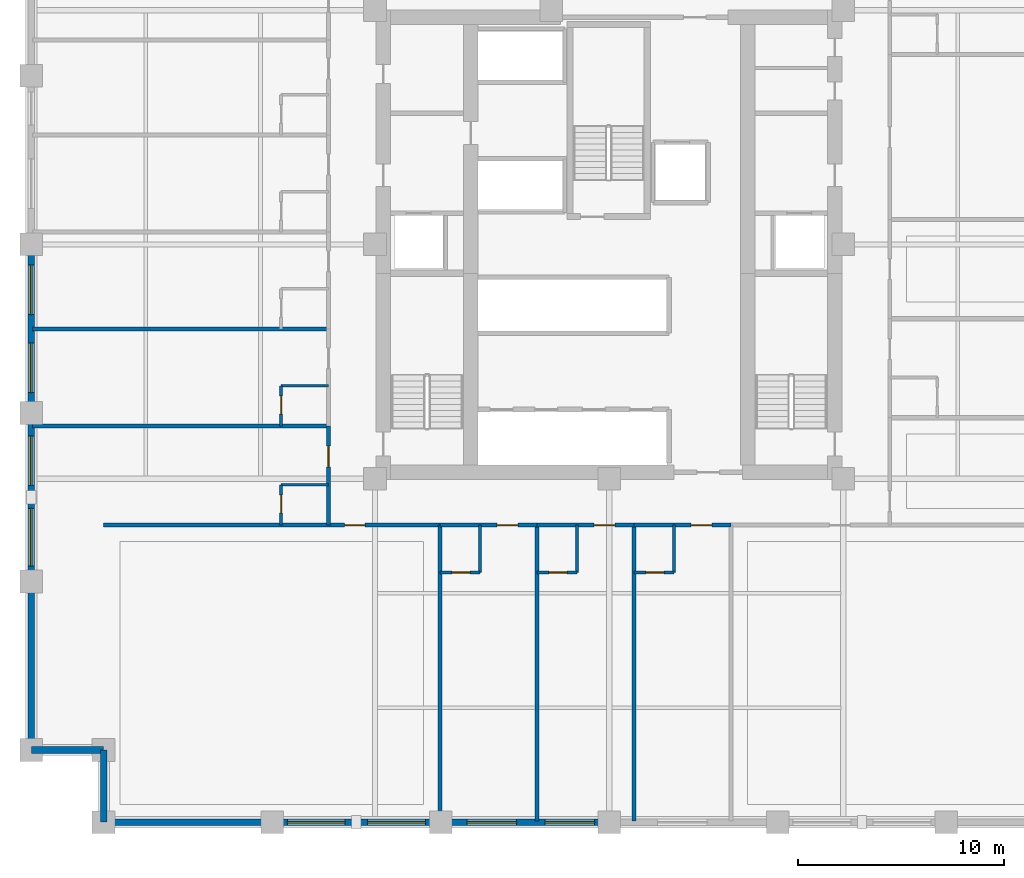
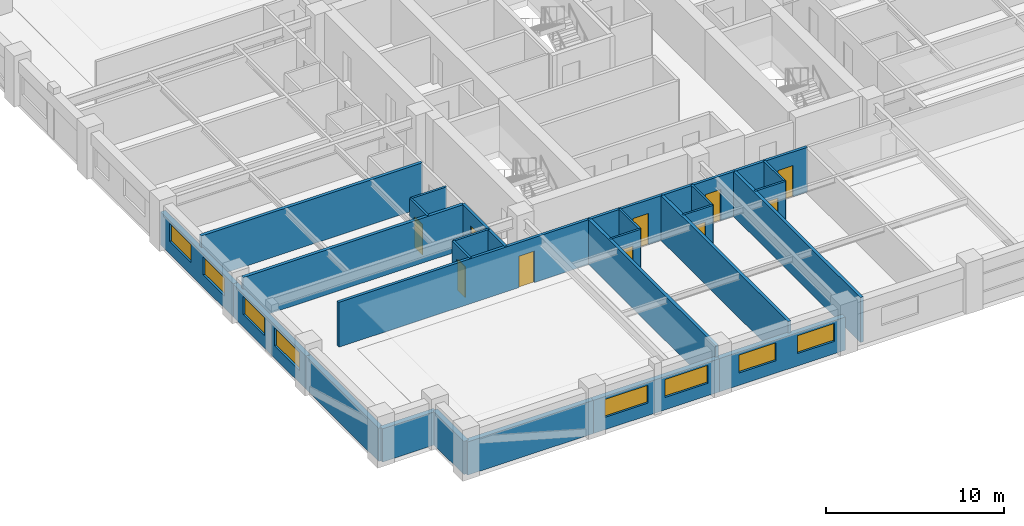
# One storey, part 2 of 12: 28 walls, 10 doors, 8 windows, 18 openings.
"""IFC4 building model written with IfcOpenShell, lengths in metres."""

from ifc_helpers import new_model, si_unit, direction, frame, frame_2d, origin, place, context, subcontext, project, spatial, rectangle, extrude, material, layer, layer_set, type_object, element, fill, save


model = new_model("IFC4")

# Units and contexts
model_context = context("Model", 3, precision=1e-05, world=origin(), true_north=direction((0.0, 1.0)))
body_context = subcontext(model_context, "Body", "Model", "MODEL_VIEW")
ifc_project = project(units=[si_unit("LENGTHUNIT", "METRE"), si_unit("AREAUNIT", "SQUARE_METRE"), si_unit("VOLUMEUNIT", "CUBIC_METRE"), si_unit("PLANEANGLEUNIT", "RADIAN"), si_unit("MASSUNIT", "GRAM", prefix="KILO")], contexts=[model_context])

# Site, building, storey
site_placement = place(None, origin())
site = spatial("IfcSite", under=ifc_project, at=site_placement, CompositionType="ELEMENT")
building_placement = place(site_placement, origin())
building = spatial("IfcBuilding", under=site, at=building_placement, Name="Nhamokura Convention Tower", CompositionType="ELEMENT")
storey_placement = place(building_placement, frame((0.0, 0.0, 38.85009765625)))
storey = spatial("IfcBuildingStorey", under=building, at=storey_placement, Name="L07", CompositionType="ELEMENT", Elevation=38.85009765625)

# Wall
ifc_material_1 = material(Name="Moisture-resistant tile-backer partition", Category="masonry")
ifc_layer_1 = layer(ifc_material_1, 0.139892578125)
ifc_layer_set_1 = layer_set([ifc_layer_1], Name="BathroomWetWall_140")
wall_type_1 = type_object("IfcWallType", Name="BathroomWetWall_140", PredefinedType="STANDARD", material=ifc_layer_set_1)
wall_1_placement = place(storey_placement, frame((25.75, 16.10009765625, 0.0), z_axis=(0.0, 0.0, 1.0), x_axis=(0.0, 1.0, 0.0)))
element("IfcWall", 1, at=wall_1_placement, inside=storey, type_object=wall_type_1, Name="L07 Wall INT-L07-BW-S01E", PredefinedType="STANDARD", context=body_context, shape_type="SweptSolid", body=[
    extrude(rectangle(XDim=2.2998046875, YDim=0.139892578125, at=frame_2d((1.14990234375, 0.0))), origin(), (0.0, 0.0, 1.0), 3.079833984375),
])

# Wall, opening, door
wall_2_placement = place(storey_placement, frame((23.800048828125, 16.10009765625, 0.0), z_axis=(0.0, 0.0, 1.0), x_axis=(1.0, 0.0, 0.0)))
wall_2 = element("IfcWall", 2, at=wall_2_placement, inside=storey, type_object=wall_type_1, Name="L07 Wall INT-L07-BW-S01S", PredefinedType="STANDARD", context=body_context, shape_type="SweptSolid", body=[
    extrude(rectangle(XDim=1.949951171875, YDim=0.139892578125, at=frame_2d((0.97509765625, 0.0))), origin(), (0.0, 0.0, 1.0), 3.079833984375),
])
opening_1_placement = place(wall_2_placement, frame((0.580078125, 0.0, 0.0)))
opening_1 = element("IfcOpeningElement", 3, at=opening_1_placement, cuts=wall_2, Name="Opening D-11", PredefinedType="OPENING", context=body_context, shape_type="SweptSolid", body=[
    extrude(rectangle(XDim=0.8798828125, YDim=2.10009765625, at=frame_2d((0.43994140625, 1.050048828125))), frame((0.0, 0.079833984375, 0.0), z_axis=(0.0, -1.0, 0.0), x_axis=(1.0, 0.0, 0.0)), (0.0, 0.0, 1.0), 0.159912109375),
])
ifc_material_2 = material(Name="Solid oak hardwood", Category="wood")
door_type_1 = type_object("IfcDoorType", Name="BathroomDoor_880", OperationType="NOTDEFINED", PredefinedType="DOOR", material=ifc_material_2)
door_1_placement = place(opening_1_placement, origin())
door_1 = element("IfcDoor", 4, at=door_1_placement, inside=storey, type_object=door_type_1, Name="L07 Guest Room En-suite Door", OperationType="SINGLE_SWING_LEFT", OverallHeight=2.10009765625, OverallWidth=0.8798828125, PredefinedType="DOOR", context=body_context, shape_type="SweptSolid", body=[
    extrude(rectangle(XDim=0.8798828125, YDim=2.10009765625, at=frame_2d((0.43994140625, 1.050048828125))), frame((0.0, 0.02490234375, 0.0), z_axis=(0.0, -1.0, 0.0), x_axis=(1.0, 0.0, 0.0)), (0.0, 0.0, 1.0), 0.050048828125),
])
fill(opening_1, door_1)

# Wall
wall_3_placement = place(storey_placement, frame((30.449951171875, 16.10009765625, 0.0), z_axis=(0.0, 0.0, 1.0), x_axis=(0.0, 1.0, 0.0)))
element("IfcWall", 5, at=wall_3_placement, inside=storey, type_object=wall_type_1, Name="L07 Wall INT-L07-BW-S02E", PredefinedType="STANDARD", context=body_context, shape_type="SweptSolid", body=[
    extrude(rectangle(XDim=2.2998046875, YDim=0.139892578125, at=frame_2d((1.14990234375, 0.0))), origin(), (0.0, 0.0, 1.0), 3.079833984375),
])

# Wall, opening, door
wall_4_placement = place(storey_placement, frame((28.5, 16.10009765625, 0.0), z_axis=(0.0, 0.0, 1.0), x_axis=(1.0, 0.0, 0.0)))
wall_4 = element("IfcWall", 6, at=wall_4_placement, inside=storey, type_object=wall_type_1, Name="L07 Wall INT-L07-BW-S02S", PredefinedType="STANDARD", context=body_context, shape_type="SweptSolid", body=[
    extrude(rectangle(XDim=1.949951171875, YDim=0.139892578125, at=frame_2d((0.97509765625, 0.0))), origin(), (0.0, 0.0, 1.0), 3.079833984375),
])
opening_2_placement = place(wall_4_placement, frame((0.580078125, 0.0, 0.0)))
opening_2 = element("IfcOpeningElement", 7, at=opening_2_placement, cuts=wall_4, Name="Opening D-11", PredefinedType="OPENING", context=body_context, shape_type="SweptSolid", body=[
    extrude(rectangle(XDim=0.8798828125, YDim=2.10009765625, at=frame_2d((0.43994140625, 1.050048828125))), frame((0.0, 0.079833984375, 0.0), z_axis=(0.0, -1.0, 0.0), x_axis=(1.0, 0.0, 0.0)), (0.0, 0.0, 1.0), 0.159912109375),
])
door_2_placement = place(opening_2_placement, origin())
door_2 = element("IfcDoor", 8, at=door_2_placement, inside=storey, type_object=door_type_1, Name="L07 Corner Suite En-suite Door", OperationType="SINGLE_SWING_LEFT", OverallHeight=2.10009765625, OverallWidth=0.8798828125, PredefinedType="DOOR", context=body_context, shape_type="SweptSolid", body=[
    extrude(rectangle(XDim=0.8798828125, YDim=2.10009765625, at=frame_2d((0.43994140625, 1.050048828125))), frame((0.0, 0.02490234375, 0.0), z_axis=(0.0, -1.0, 0.0), x_axis=(1.0, 0.0, 0.0)), (0.0, 0.0, 1.0), 0.050048828125),
])
fill(opening_2, door_2)

# Wall
wall_5_placement = place(storey_placement, frame((35.14990234375, 16.10009765625, 0.0), z_axis=(0.0, 0.0, 1.0), x_axis=(0.0, 1.0, 0.0)))
element("IfcWall", 9, at=wall_5_placement, inside=storey, type_object=wall_type_1, Name="L07 Wall INT-L07-BW-S03E", PredefinedType="STANDARD", context=body_context, shape_type="SweptSolid", body=[
    extrude(rectangle(XDim=2.2998046875, YDim=0.139892578125, at=frame_2d((1.14990234375, 0.0))), origin(), (0.0, 0.0, 1.0), 3.079833984375),
])

# Wall, opening, door
wall_6_placement = place(storey_placement, frame((33.199951171875, 16.10009765625, 0.0), z_axis=(0.0, 0.0, 1.0), x_axis=(1.0, 0.0, 0.0)))
wall_6 = element("IfcWall", 10, at=wall_6_placement, inside=storey, type_object=wall_type_1, Name="L07 Wall INT-L07-BW-S03S", PredefinedType="STANDARD", context=body_context, shape_type="SweptSolid", body=[
    extrude(rectangle(XDim=1.949951171875, YDim=0.139892578125, at=frame_2d((0.97509765625, 0.0))), origin(), (0.0, 0.0, 1.0), 3.079833984375),
])
opening_3_placement = place(wall_6_placement, frame((0.580078125, 0.0, 0.0)))
opening_3 = element("IfcOpeningElement", 11, at=opening_3_placement, cuts=wall_6, Name="Opening D-11", PredefinedType="OPENING", context=body_context, shape_type="SweptSolid", body=[
    extrude(rectangle(XDim=0.8798828125, YDim=2.10009765625, at=frame_2d((0.43994140625, 1.050048828125))), frame((0.0, 0.079833984375, 0.0), z_axis=(0.0, -1.0, 0.0), x_axis=(1.0, 0.0, 0.0)), (0.0, 0.0, 1.0), 0.159912109375),
])
door_3_placement = place(opening_3_placement, origin())
door_3 = element("IfcDoor", 12, at=door_3_placement, inside=storey, type_object=door_type_1, Name="L07 Guest Room En-suite Door", OperationType="SINGLE_SWING_LEFT", OverallHeight=2.10009765625, OverallWidth=0.8798828125, PredefinedType="DOOR", context=body_context, shape_type="SweptSolid", body=[
    extrude(rectangle(XDim=0.8798828125, YDim=2.10009765625, at=frame_2d((0.43994140625, 1.050048828125))), frame((0.0, 0.02490234375, 0.0), z_axis=(0.0, -1.0, 0.0), x_axis=(1.0, 0.0, 0.0)), (0.0, 0.0, 1.0), 0.050048828125),
])
fill(opening_3, door_3)

# Wall
wall_7_placement = place(storey_placement, frame((16.10009765625, 20.35009765625, 0.0), z_axis=(0.0, 0.0, 1.0), x_axis=(1.0, 0.0, 0.0)))
element("IfcWall", 13, at=wall_7_placement, inside=storey, type_object=wall_type_1, Name="L07 Wall INT-L07-BW-W00N", PredefinedType="STANDARD", context=body_context, shape_type="SweptSolid", body=[
    extrude(rectangle(XDim=2.2998046875, YDim=0.139892578125, at=frame_2d((1.14990234375, 0.0))), origin(), (0.0, 0.0, 1.0), 3.079833984375),
])

# Wall, opening, door
wall_8_placement = place(storey_placement, frame((16.10009765625, 18.39990234375, 0.0), z_axis=(0.0, 0.0, 1.0), x_axis=(0.0, 1.0, 0.0)))
wall_8 = element("IfcWall", 14, at=wall_8_placement, inside=storey, type_object=wall_type_1, Name="L07 Wall INT-L07-BW-W00W", PredefinedType="STANDARD", context=body_context, shape_type="SweptSolid", body=[
    extrude(rectangle(XDim=1.9501953125, YDim=0.139892578125, at=frame_2d((0.97509765625, 0.0))), origin(), (0.0, 0.0, 1.0), 3.079833984375),
])
opening_4_placement = place(wall_8_placement, frame((0.580078125, 0.0, 0.0)))
opening_4 = element("IfcOpeningElement", 15, at=opening_4_placement, cuts=wall_8, Name="Opening D-11", PredefinedType="OPENING", context=body_context, shape_type="SweptSolid", body=[
    extrude(rectangle(XDim=0.8798828125, YDim=2.10009765625, at=frame_2d((0.43994140625, 1.050048828125))), frame((0.0, 0.079833984375, 0.0), z_axis=(0.0, -1.0, 0.0), x_axis=(1.0, 0.0, 0.0)), (0.0, 0.0, 1.0), 0.159912109375),
])
door_4_placement = place(opening_4_placement, origin())
door_4 = element("IfcDoor", 16, at=door_4_placement, inside=storey, type_object=door_type_1, Name="L07 Guest Room En-suite Door", OperationType="SINGLE_SWING_RIGHT", OverallHeight=2.10009765625, OverallWidth=0.8798828125, PredefinedType="DOOR", context=body_context, shape_type="SweptSolid", body=[
    extrude(rectangle(XDim=0.8798828125, YDim=2.10009765625, at=frame_2d((0.43994140625, 1.050048828125))), frame((0.0, 0.02490234375, 0.0), z_axis=(0.0, -1.0, 0.0), x_axis=(1.0, 0.0, 0.0)), (0.0, 0.0, 1.0), 0.050048828125),
])
fill(opening_4, door_4)

# Wall
wall_9_placement = place(storey_placement, frame((16.10009765625, 25.14990234375, 0.0), z_axis=(0.0, 0.0, 1.0), x_axis=(1.0, 0.0, 0.0)))
element("IfcWall", 17, at=wall_9_placement, inside=storey, type_object=wall_type_1, Name="L07 Wall INT-L07-BW-W01N", PredefinedType="STANDARD", context=body_context, shape_type="SweptSolid", body=[
    extrude(rectangle(XDim=2.2998046875, YDim=0.139892578125, at=frame_2d((1.14990234375, 0.0))), origin(), (0.0, 0.0, 1.0), 3.079833984375),
])

# Wall, opening, door
wall_10_placement = place(storey_placement, frame((16.10009765625, 23.199951171875, 0.0), z_axis=(0.0, 0.0, 1.0), x_axis=(0.0, 1.0, 0.0)))
wall_10 = element("IfcWall", 18, at=wall_10_placement, inside=storey, type_object=wall_type_1, Name="L07 Wall INT-L07-BW-W01W", PredefinedType="STANDARD", context=body_context, shape_type="SweptSolid", body=[
    extrude(rectangle(XDim=1.949951171875, YDim=0.139892578125, at=frame_2d((0.97509765625, 0.0))), origin(), (0.0, 0.0, 1.0), 3.079833984375),
])
opening_5_placement = place(wall_10_placement, frame((0.580078125, 0.0, 0.0)))
opening_5 = element("IfcOpeningElement", 19, at=opening_5_placement, cuts=wall_10, Name="Opening D-11", PredefinedType="OPENING", context=body_context, shape_type="SweptSolid", body=[
    extrude(rectangle(XDim=0.8798828125, YDim=2.10009765625, at=frame_2d((0.43994140625, 1.050048828125))), frame((0.0, 0.079833984375, 0.0), z_axis=(0.0, -1.0, 0.0), x_axis=(1.0, 0.0, 0.0)), (0.0, 0.0, 1.0), 0.159912109375),
])
door_5_placement = place(opening_5_placement, origin())
door_5 = element("IfcDoor", 20, at=door_5_placement, inside=storey, type_object=door_type_1, Name="L07 Club Room En-suite Door", OperationType="SINGLE_SWING_RIGHT", OverallHeight=2.10009765625, OverallWidth=0.8798828125, PredefinedType="DOOR", context=body_context, shape_type="SweptSolid", body=[
    extrude(rectangle(XDim=0.8798828125, YDim=2.10009765625, at=frame_2d((0.43994140625, 1.050048828125))), frame((0.0, 0.02490234375, 0.0), z_axis=(0.0, -1.0, 0.0), x_axis=(1.0, 0.0, 0.0)), (0.0, 0.0, 1.0), 0.050048828125),
])
fill(opening_5, door_5)

# Wall
ifc_material_3 = material(Name="Bronze-pigmented precast concrete C45/55", Category="concrete")
ifc_layer_2 = layer(ifc_material_3, 0.320068359375)
ifc_layer_set_2 = layer_set([ifc_layer_2], Name="BronzePrecastSpandrel_320")
wall_type_2 = type_object("IfcWallType", Name="BronzePrecastSpandrel_320", PredefinedType="USERDEFINED", material=ifc_layer_set_2)
wall_11_placement = place(storey_placement, frame((15.666748046875, 4.0, 0.0), z_axis=(0.0, 0.0, 1.0), x_axis=(-1.0, 0.0, 0.0)))
element("IfcWall", 21, at=wall_11_placement, inside=storey, type_object=wall_type_2, Name="L07 Braced-Bay Precast Wall SOUTH 0", ObjectType="SPANDREL_WALL", PredefinedType="USERDEFINED", context=body_context, shape_type="SweptSolid", body=[
    extrude(rectangle(XDim=8.166748046875, YDim=0.320068359375, at=frame_2d((4.08349609375, 0.0))), origin(), (0.0, 0.0, 1.0), 2.27978515625),
])

# Wall, openings, windows
wall_12_placement = place(storey_placement, frame((23.833251953125, 4.0, 0.0), z_axis=(0.0, 0.0, 1.0), x_axis=(-1.0, 0.0, 0.0)))
wall_12 = element("IfcWall", 22, at=wall_12_placement, inside=storey, type_object=wall_type_2, Name="L07 Masonry-Frame Wall SOUTH 1", ObjectType="SPANDREL_WALL", PredefinedType="USERDEFINED", context=body_context, shape_type="SweptSolid", body=[
    extrude(rectangle(XDim=8.16650390625, YDim=0.320068359375, at=frame_2d((4.083251953125, 0.0))), origin(), (0.0, 0.0, 1.0), 2.27978515625),
])
opening_6_placement = place(wall_12_placement, frame((0.74169921875, 0.0, 0.85009765625)))
opening_6 = element("IfcOpeningElement", 23, at=opening_6_placement, cuts=wall_12, Name="Opening W-04", PredefinedType="OPENING", context=body_context, shape_type="SweptSolid", body=[
    extrude(rectangle(XDim=2.800048828125, YDim=1.22998046875, at=frame_2d((1.39990234375, 0.614990234375))), frame((0.0, 0.169921875, 0.0), z_axis=(0.0, -1.0, 0.0), x_axis=(1.0, 0.0, 0.0)), (0.0, 0.0, 1.0), 0.340087890625),
])
opening_7_placement = place(wall_12_placement, frame((4.625, 0.0, 0.85009765625)))
opening_7 = element("IfcOpeningElement", 24, at=opening_7_placement, cuts=wall_12, Name="Opening W-04", PredefinedType="OPENING", context=body_context, shape_type="SweptSolid", body=[
    extrude(rectangle(XDim=2.800048828125, YDim=1.22998046875, at=frame_2d((1.39990234375, 0.614990234375))), frame((0.0, 0.169921875, 0.0), z_axis=(0.0, -1.0, 0.0), x_axis=(1.0, 0.0, 0.0)), (0.0, 0.0, 1.0), 0.340087890625),
])
ifc_material_4 = material(Name="Solar-control bronze low-E double glass", Category="glass")
window_type_1 = type_object("IfcWindowType", Name="HotelSuiteWindow_2800", PartitioningType="DOUBLE_PANEL_VERTICAL", PredefinedType="WINDOW", material=ifc_material_4)
window_1_placement = place(opening_6_placement, origin())
window_1 = element("IfcWindow", 25, at=window_1_placement, inside=storey, type_object=window_type_1, Name="L07 Facade Window SOUTH 1-1", OverallHeight=1.22998046875, OverallWidth=2.800048828125, PartitioningType="SINGLE_PANEL", PredefinedType="WINDOW", context=body_context, shape_type="SweptSolid", body=[
    extrude(rectangle(XDim=2.800048828125, YDim=1.22998046875, at=frame_2d((1.39990234375, 0.614990234375))), frame((0.0, 0.030029296875, 0.0), z_axis=(0.0, -1.0, 0.0), x_axis=(1.0, 0.0, 0.0)), (0.0, 0.0, 1.0), 0.06005859375),
])
fill(opening_6, window_1)
window_2_placement = place(opening_7_placement, origin())
window_2 = element("IfcWindow", 26, at=window_2_placement, inside=storey, type_object=window_type_1, Name="L07 Facade Window SOUTH 1-2", OverallHeight=1.22998046875, OverallWidth=2.800048828125, PartitioningType="SINGLE_PANEL", PredefinedType="WINDOW", context=body_context, shape_type="SweptSolid", body=[
    extrude(rectangle(XDim=2.800048828125, YDim=1.22998046875, at=frame_2d((1.39990234375, 0.614990234375))), frame((0.0, 0.030029296875, 0.0), z_axis=(0.0, -1.0, 0.0), x_axis=(1.0, 0.0, 0.0)), (0.0, 0.0, 1.0), 0.06005859375),
])
fill(opening_7, window_2)

wall_13_placement = place(storey_placement, frame((32.0, 4.0, 0.0), z_axis=(0.0, 0.0, 1.0), x_axis=(-1.0, 0.0, 0.0)))
wall_13 = element("IfcWall", 27, at=wall_13_placement, inside=storey, type_object=wall_type_2, Name="L07 Masonry-Frame Wall SOUTH 2", ObjectType="SPANDREL_WALL", PredefinedType="USERDEFINED", context=body_context, shape_type="SweptSolid", body=[
    extrude(rectangle(XDim=8.166748046875, YDim=0.320068359375, at=frame_2d((4.08349609375, 0.0))), origin(), (0.0, 0.0, 1.0), 2.27978515625),
])
opening_8_placement = place(wall_13_placement, frame((0.699951171875, 0.0, 0.85009765625)))
opening_8 = element("IfcOpeningElement", 28, at=opening_8_placement, cuts=wall_13, Name="Opening W-03", PredefinedType="OPENING", context=body_context, shape_type="SweptSolid", body=[
    extrude(rectangle(XDim=2.39990234375, YDim=1.22998046875, at=frame_2d((1.199951171875, 0.614990234375))), frame((0.0, 0.169921875, 0.0), z_axis=(0.0, -1.0, 0.0), x_axis=(1.0, 0.0, 0.0)), (0.0, 0.0, 1.0), 0.340087890625),
])
opening_9_placement = place(wall_13_placement, frame((4.4833984375, 0.0, 0.85009765625)))
opening_9 = element("IfcOpeningElement", 29, at=opening_9_placement, cuts=wall_13, Name="Opening W-03", PredefinedType="OPENING", context=body_context, shape_type="SweptSolid", body=[
    extrude(rectangle(XDim=2.39990234375, YDim=1.22998046875, at=frame_2d((1.199951171875, 0.614990234375))), frame((0.0, 0.169921875, 0.0), z_axis=(0.0, -1.0, 0.0), x_axis=(1.0, 0.0, 0.0)), (0.0, 0.0, 1.0), 0.340087890625),
])
ifc_material_5 = material(Name="Solar-control bronze low-E double glass", Category="glass")
window_type_2 = type_object("IfcWindowType", Name="HotelBayWindow_2400", PartitioningType="DOUBLE_PANEL_VERTICAL", PredefinedType="WINDOW", material=ifc_material_5)
window_3_placement = place(opening_8_placement, origin())
window_3 = element("IfcWindow", 30, at=window_3_placement, inside=storey, type_object=window_type_2, Name="L07 Facade Window SOUTH 2-1", OverallHeight=1.22998046875, OverallWidth=2.39990234375, PartitioningType="SINGLE_PANEL", PredefinedType="WINDOW", context=body_context, shape_type="SweptSolid", body=[
    extrude(rectangle(XDim=2.39990234375, YDim=1.22998046875, at=frame_2d((1.199951171875, 0.614990234375))), frame((0.0, 0.030029296875, 0.0), z_axis=(0.0, -1.0, 0.0), x_axis=(1.0, 0.0, 0.0)), (0.0, 0.0, 1.0), 0.06005859375),
])
fill(opening_8, window_3)
window_4_placement = place(opening_9_placement, origin())
window_4 = element("IfcWindow", 31, at=window_4_placement, inside=storey, type_object=window_type_2, Name="L07 Facade Window SOUTH 2-2", OverallHeight=1.22998046875, OverallWidth=2.39990234375, PartitioningType="SINGLE_PANEL", PredefinedType="WINDOW", context=body_context, shape_type="SweptSolid", body=[
    extrude(rectangle(XDim=2.39990234375, YDim=1.22998046875, at=frame_2d((1.199951171875, 0.614990234375))), frame((0.0, 0.030029296875, 0.0), z_axis=(0.0, -1.0, 0.0), x_axis=(1.0, 0.0, 0.0)), (0.0, 0.0, 1.0), 0.06005859375),
])
fill(opening_9, window_4)

# Wall
wall_14_placement = place(storey_placement, frame((4.0, 7.5, 0.0), z_axis=(0.0, 0.0, 1.0), x_axis=(0.0, 1.0, 0.0)))
element("IfcWall", 32, at=wall_14_placement, inside=storey, type_object=wall_type_2, Name="L07 Braced-Bay Precast Wall WEST 0", ObjectType="SPANDREL_WALL", PredefinedType="USERDEFINED", context=body_context, shape_type="SweptSolid", body=[
    extrude(rectangle(XDim=8.166748046875, YDim=0.320068359375, at=frame_2d((4.08349609375, 0.0))), origin(), (0.0, 0.0, 1.0), 2.27978515625),
])

# Wall, openings, windows
wall_15_placement = place(storey_placement, frame((4.0, 15.666748046875, 0.0), z_axis=(0.0, 0.0, 1.0), x_axis=(0.0, 1.0, 0.0)))
wall_15 = element("IfcWall", 33, at=wall_15_placement, inside=storey, type_object=wall_type_2, Name="L07 Masonry-Frame Wall WEST 1", ObjectType="SPANDREL_WALL", PredefinedType="USERDEFINED", context=body_context, shape_type="SweptSolid", body=[
    extrude(rectangle(XDim=8.16650390625, YDim=0.320068359375, at=frame_2d((4.083251953125, 0.0))), origin(), (0.0, 0.0, 1.0), 2.27978515625),
])
opening_10_placement = place(wall_15_placement, frame((0.74169921875, 0.0, 0.85009765625)))
opening_10 = element("IfcOpeningElement", 34, at=opening_10_placement, cuts=wall_15, Name="Opening W-04", PredefinedType="OPENING", context=body_context, shape_type="SweptSolid", body=[
    extrude(rectangle(XDim=2.800048828125, YDim=1.22998046875, at=frame_2d((1.39990234375, 0.614990234375))), frame((0.0, 0.169921875, 0.0), z_axis=(0.0, -1.0, 0.0), x_axis=(1.0, 0.0, 0.0)), (0.0, 0.0, 1.0), 0.340087890625),
])
opening_11_placement = place(wall_15_placement, frame((4.658203125, 0.0, 0.85009765625)))
opening_11 = element("IfcOpeningElement", 35, at=opening_11_placement, cuts=wall_15, Name="Opening W-03", PredefinedType="OPENING", context=body_context, shape_type="SweptSolid", body=[
    extrude(rectangle(XDim=2.39990234375, YDim=1.22998046875, at=frame_2d((1.199951171875, 0.614990234375))), frame((0.0, 0.169921875, 0.0), z_axis=(0.0, -1.0, 0.0), x_axis=(1.0, 0.0, 0.0)), (0.0, 0.0, 1.0), 0.340087890625),
])
window_5_placement = place(opening_11_placement, origin())
window_5 = element("IfcWindow", 36, at=window_5_placement, inside=storey, type_object=window_type_2, Name="L07 Facade Window WEST 1-2", OverallHeight=1.22998046875, OverallWidth=2.39990234375, PartitioningType="SINGLE_PANEL", PredefinedType="WINDOW", context=body_context, shape_type="SweptSolid", body=[
    extrude(rectangle(XDim=2.39990234375, YDim=1.22998046875, at=frame_2d((1.199951171875, 0.614990234375))), frame((0.0, 0.030029296875, 0.0), z_axis=(0.0, -1.0, 0.0), x_axis=(1.0, 0.0, 0.0)), (0.0, 0.0, 1.0), 0.06005859375),
])
fill(opening_11, window_5)
window_6_placement = place(opening_10_placement, origin())
window_6 = element("IfcWindow", 37, at=window_6_placement, inside=storey, type_object=window_type_1, Name="L07 Facade Window WEST 1-1", OverallHeight=1.22998046875, OverallWidth=2.800048828125, PartitioningType="SINGLE_PANEL", PredefinedType="WINDOW", context=body_context, shape_type="SweptSolid", body=[
    extrude(rectangle(XDim=2.800048828125, YDim=1.22998046875, at=frame_2d((1.39990234375, 0.614990234375))), frame((0.0, 0.030029296875, 0.0), z_axis=(0.0, -1.0, 0.0), x_axis=(1.0, 0.0, 0.0)), (0.0, 0.0, 1.0), 0.06005859375),
])
fill(opening_10, window_6)

wall_16_placement = place(storey_placement, frame((4.0, 23.833251953125, 0.0), z_axis=(0.0, 0.0, 1.0), x_axis=(0.0, 1.0, 0.0)))
wall_16 = element("IfcWall", 38, at=wall_16_placement, inside=storey, type_object=wall_type_2, Name="L07 Masonry-Frame Wall WEST 2", ObjectType="SPANDREL_WALL", PredefinedType="USERDEFINED", context=body_context, shape_type="SweptSolid", body=[
    extrude(rectangle(XDim=8.166748046875, YDim=0.320068359375, at=frame_2d((4.08349609375, 0.0))), origin(), (0.0, 0.0, 1.0), 2.27978515625),
])
opening_12_placement = place(wall_16_placement, frame((0.9833984375, 0.0, 0.85009765625)))
opening_12 = element("IfcOpeningElement", 39, at=opening_12_placement, cuts=wall_16, Name="Opening W-03", PredefinedType="OPENING", context=body_context, shape_type="SweptSolid", body=[
    extrude(rectangle(XDim=2.39990234375, YDim=1.22998046875, at=frame_2d((1.199951171875, 0.614990234375))), frame((0.0, 0.169921875, 0.0), z_axis=(0.0, -1.0, 0.0), x_axis=(1.0, 0.0, 0.0)), (0.0, 0.0, 1.0), 0.340087890625),
])
opening_13_placement = place(wall_16_placement, frame((4.7666015625, 0.0, 0.85009765625)))
opening_13 = element("IfcOpeningElement", 40, at=opening_13_placement, cuts=wall_16, Name="Opening W-03", PredefinedType="OPENING", context=body_context, shape_type="SweptSolid", body=[
    extrude(rectangle(XDim=2.39990234375, YDim=1.22998046875, at=frame_2d((1.199951171875, 0.614990234375))), frame((0.0, 0.169921875, 0.0), z_axis=(0.0, -1.0, 0.0), x_axis=(1.0, 0.0, 0.0)), (0.0, 0.0, 1.0), 0.340087890625),
])
window_7_placement = place(opening_12_placement, origin())
window_7 = element("IfcWindow", 41, at=window_7_placement, inside=storey, type_object=window_type_2, Name="L07 Facade Window WEST 2-1", OverallHeight=1.22998046875, OverallWidth=2.39990234375, PartitioningType="SINGLE_PANEL", PredefinedType="WINDOW", context=body_context, shape_type="SweptSolid", body=[
    extrude(rectangle(XDim=2.39990234375, YDim=1.22998046875, at=frame_2d((1.199951171875, 0.614990234375))), frame((0.0, 0.030029296875, 0.0), z_axis=(0.0, -1.0, 0.0), x_axis=(1.0, 0.0, 0.0)), (0.0, 0.0, 1.0), 0.06005859375),
])
fill(opening_12, window_7)
window_8_placement = place(opening_13_placement, origin())
window_8 = element("IfcWindow", 42, at=window_8_placement, inside=storey, type_object=window_type_2, Name="L07 Facade Window WEST 2-2", OverallHeight=1.22998046875, OverallWidth=2.39990234375, PartitioningType="SINGLE_PANEL", PredefinedType="WINDOW", context=body_context, shape_type="SweptSolid", body=[
    extrude(rectangle(XDim=2.39990234375, YDim=1.22998046875, at=frame_2d((1.199951171875, 0.614990234375))), frame((0.0, 0.030029296875, 0.0), z_axis=(0.0, -1.0, 0.0), x_axis=(1.0, 0.0, 0.0)), (0.0, 0.0, 1.0), 0.06005859375),
])
fill(opening_13, window_8)

# Walls
for number, where, z_axis, x_axis, name in (
    (43, (7.5, 4.0, 0.0), (0.0, 0.0, 1.0), (0.0, 1.0, 0.0), "L07 Notched Corner Wall SW1"),
    (44, (7.5, 7.5, 0.0), (0.0, 0.0, 1.0), (-1.0, 0.0, 0.0), "L07 Notched Corner Wall SW2"),
):
    element("IfcWall", number, at=place(storey_placement, frame(where, z_axis=z_axis, x_axis=x_axis)), inside=storey, type_object=wall_type_2, Name=name, ObjectType="SPANDREL_WALL", PredefinedType="USERDEFINED", context=body_context, shape_type="SweptSolid", body=[
        extrude(rectangle(XDim=3.5, YDim=0.320068359375, at=frame_2d((1.75, 0.0))), origin(), (0.0, 0.0, 1.0), 2.27978515625),
    ])

# Wall, opening, door
ifc_material_6 = material(Name="Fire-rated gypsum and masonry partition", Category="masonry")
ifc_layer_3 = layer(ifc_material_6, 0.179931640625)
ifc_layer_set_3 = layer_set([ifc_layer_3], Name="CorridorRatedWall_180")
wall_type_3 = type_object("IfcWallType", Name="CorridorRatedWall_180", PredefinedType="STANDARD", material=ifc_layer_set_3)
wall_17_placement = place(storey_placement, frame((7.5, 18.39990234375, 0.0), z_axis=(0.0, 0.0, 1.0), x_axis=(1.0, 0.0, 0.0)))
wall_17 = element("IfcWall", 45, at=wall_17_placement, inside=storey, type_object=wall_type_3, Name="L07 Wall INT-L07-CW-S00", PredefinedType="STANDARD", context=body_context, shape_type="SweptSolid", body=[
    extrude(rectangle(XDim=16.300048828125, YDim=0.179931640625, at=frame_2d((8.14990234375, 0.0))), origin(), (0.0, 0.0, 1.0), 3.079833984375),
])
opening_14_placement = place(wall_17_placement, frame((11.675048828125, 0.0, 0.0)))
opening_14 = element("IfcOpeningElement", 46, at=opening_14_placement, cuts=wall_17, Name="Opening D-07", PredefinedType="OPENING", context=body_context, shape_type="SweptSolid", body=[
    extrude(rectangle(XDim=1.0, YDim=2.14990234375, at=frame_2d((0.5, 1.074951171875))), frame((0.0, 0.099853515625, 0.0), z_axis=(0.0, -1.0, 0.0), x_axis=(1.0, 0.0, 0.0)), (0.0, 0.0, 1.0), 0.199951171875),
])
ifc_material_7 = material(Name="Solid oak hardwood", Category="wood")
door_type_2 = type_object("IfcDoorType", Name="HotelSuiteEntryDoor_1000", OperationType="NOTDEFINED", PredefinedType="DOOR", material=ifc_material_7)
door_6_placement = place(opening_14_placement, origin())
door_6 = element("IfcDoor", 47, at=door_6_placement, inside=storey, type_object=door_type_2, Name="L07 Conference Salon S01 Door", OperationType="SINGLE_SWING_LEFT", OverallHeight=2.14990234375, OverallWidth=1.0, PredefinedType="DOOR", context=body_context, shape_type="SweptSolid", body=[
    extrude(rectangle(XDim=1.0, YDim=2.14990234375, at=frame_2d((0.5, 1.074951171875))), frame((0.0, 0.02490234375, 0.0), z_axis=(0.0, -1.0, 0.0), x_axis=(1.0, 0.0, 0.0)), (0.0, 0.0, 1.0), 0.050048828125),
])
fill(opening_14, door_6)

wall_18_placement = place(storey_placement, frame((23.800048828125, 18.39990234375, 0.0), z_axis=(0.0, 0.0, 1.0), x_axis=(1.0, 0.0, 0.0)))
wall_18 = element("IfcWall", 48, at=wall_18_placement, inside=storey, type_object=wall_type_3, Name="L07 Wall INT-L07-CW-S01", PredefinedType="STANDARD", context=body_context, shape_type="SweptSolid", body=[
    extrude(rectangle(XDim=4.699951171875, YDim=0.179931640625, at=frame_2d((2.35009765625, 0.0))), origin(), (0.0, 0.0, 1.0), 3.079833984375),
])
opening_15_placement = place(wall_18_placement, frame((2.77490234375, 0.0, 0.0)))
opening_15 = element("IfcOpeningElement", 49, at=opening_15_placement, cuts=wall_18, Name="Opening D-07", PredefinedType="OPENING", context=body_context, shape_type="SweptSolid", body=[
    extrude(rectangle(XDim=1.0, YDim=2.14990234375, at=frame_2d((0.5, 1.074951171875))), frame((0.0, 0.099853515625, 0.0), z_axis=(0.0, -1.0, 0.0), x_axis=(1.0, 0.0, 0.0)), (0.0, 0.0, 1.0), 0.199951171875),
])
door_7_placement = place(opening_15_placement, origin())
door_7 = element("IfcDoor", 50, at=door_7_placement, inside=storey, type_object=door_type_2, Name="L07 Guest Room S02 Door", OperationType="SINGLE_SWING_RIGHT", OverallHeight=2.14990234375, OverallWidth=1.0, PredefinedType="DOOR", context=body_context, shape_type="SweptSolid", body=[
    extrude(rectangle(XDim=1.0, YDim=2.14990234375, at=frame_2d((0.5, 1.074951171875))), frame((0.0, 0.02490234375, 0.0), z_axis=(0.0, -1.0, 0.0), x_axis=(1.0, 0.0, 0.0)), (0.0, 0.0, 1.0), 0.050048828125),
])
fill(opening_15, door_7)

wall_19_placement = place(storey_placement, frame((28.5, 18.39990234375, 0.0), z_axis=(0.0, 0.0, 1.0), x_axis=(1.0, 0.0, 0.0)))
wall_19 = element("IfcWall", 51, at=wall_19_placement, inside=storey, type_object=wall_type_3, Name="L07 Wall INT-L07-CW-S02", PredefinedType="STANDARD", context=body_context, shape_type="SweptSolid", body=[
    extrude(rectangle(XDim=4.699951171875, YDim=0.179931640625, at=frame_2d((2.35009765625, 0.0))), origin(), (0.0, 0.0, 1.0), 3.079833984375),
])
opening_16_placement = place(wall_19_placement, frame((2.77490234375, 0.0, 0.0)))
opening_16 = element("IfcOpeningElement", 52, at=opening_16_placement, cuts=wall_19, Name="Opening D-07", PredefinedType="OPENING", context=body_context, shape_type="SweptSolid", body=[
    extrude(rectangle(XDim=1.0, YDim=2.14990234375, at=frame_2d((0.5, 1.074951171875))), frame((0.0, 0.099853515625, 0.0), z_axis=(0.0, -1.0, 0.0), x_axis=(1.0, 0.0, 0.0)), (0.0, 0.0, 1.0), 0.199951171875),
])
door_8_placement = place(opening_16_placement, origin())
door_8 = element("IfcDoor", 53, at=door_8_placement, inside=storey, type_object=door_type_2, Name="L07 Corner Suite S03 Door", OperationType="SINGLE_SWING_LEFT", OverallHeight=2.14990234375, OverallWidth=1.0, PredefinedType="DOOR", context=body_context, shape_type="SweptSolid", body=[
    extrude(rectangle(XDim=1.0, YDim=2.14990234375, at=frame_2d((0.5, 1.074951171875))), frame((0.0, 0.02490234375, 0.0), z_axis=(0.0, -1.0, 0.0), x_axis=(1.0, 0.0, 0.0)), (0.0, 0.0, 1.0), 0.050048828125),
])
fill(opening_16, door_8)

wall_20_placement = place(storey_placement, frame((33.199951171875, 18.39990234375, 0.0), z_axis=(0.0, 0.0, 1.0), x_axis=(1.0, 0.0, 0.0)))
wall_20 = element("IfcWall", 54, at=wall_20_placement, inside=storey, type_object=wall_type_3, Name="L07 Wall INT-L07-CW-S03", PredefinedType="STANDARD", context=body_context, shape_type="SweptSolid", body=[
    extrude(rectangle(XDim=4.699951171875, YDim=0.179931640625, at=frame_2d((2.35009765625, 0.0))), origin(), (0.0, 0.0, 1.0), 3.079833984375),
])
opening_17_placement = place(wall_20_placement, frame((2.77490234375, 0.0, 0.0)))
opening_17 = element("IfcOpeningElement", 55, at=opening_17_placement, cuts=wall_20, Name="Opening D-07", PredefinedType="OPENING", context=body_context, shape_type="SweptSolid", body=[
    extrude(rectangle(XDim=1.0, YDim=2.14990234375, at=frame_2d((0.5, 1.074951171875))), frame((0.0, 0.099853515625, 0.0), z_axis=(0.0, -1.0, 0.0), x_axis=(1.0, 0.0, 0.0)), (0.0, 0.0, 1.0), 0.199951171875),
])
door_9_placement = place(opening_17_placement, origin())
door_9 = element("IfcDoor", 56, at=door_9_placement, inside=storey, type_object=door_type_2, Name="L07 Guest Room S04 Door", OperationType="SINGLE_SWING_RIGHT", OverallHeight=2.14990234375, OverallWidth=1.0, PredefinedType="DOOR", context=body_context, shape_type="SweptSolid", body=[
    extrude(rectangle(XDim=1.0, YDim=2.14990234375, at=frame_2d((0.5, 1.074951171875))), frame((0.0, 0.02490234375, 0.0), z_axis=(0.0, -1.0, 0.0), x_axis=(1.0, 0.0, 0.0)), (0.0, 0.0, 1.0), 0.050048828125),
])
fill(opening_17, door_9)

wall_21_placement = place(storey_placement, frame((18.39990234375, 18.39990234375, 0.0), z_axis=(0.0, 0.0, 1.0), x_axis=(0.0, 1.0, 0.0)))
wall_21 = element("IfcWall", 57, at=wall_21_placement, inside=storey, type_object=wall_type_3, Name="L07 Wall INT-L07-CW-W00", PredefinedType="STANDARD", context=body_context, shape_type="SweptSolid", body=[
    extrude(rectangle(XDim=4.800048828125, YDim=0.179931640625, at=frame_2d((2.39990234375, 0.0))), origin(), (0.0, 0.0, 1.0), 3.079833984375),
])
opening_18_placement = place(wall_21_placement, frame((2.824951171875, 0.0, 0.0)))
opening_18 = element("IfcOpeningElement", 58, at=opening_18_placement, cuts=wall_21, Name="Opening D-07", PredefinedType="OPENING", context=body_context, shape_type="SweptSolid", body=[
    extrude(rectangle(XDim=1.0, YDim=2.14990234375, at=frame_2d((0.5, 1.074951171875))), frame((0.0, 0.099853515625, 0.0), z_axis=(0.0, -1.0, 0.0), x_axis=(1.0, 0.0, 0.0)), (0.0, 0.0, 1.0), 0.199951171875),
])
door_10_placement = place(opening_18_placement, origin())
door_10 = element("IfcDoor", 59, at=door_10_placement, inside=storey, type_object=door_type_2, Name="L07 Guest Room W01 Door", OperationType="SINGLE_SWING_LEFT", OverallHeight=2.14990234375, OverallWidth=1.0, PredefinedType="DOOR", context=body_context, shape_type="SweptSolid", body=[
    extrude(rectangle(XDim=1.0, YDim=2.14990234375, at=frame_2d((0.5, 1.074951171875))), frame((0.0, 0.02490234375, 0.0), z_axis=(0.0, -1.0, 0.0), x_axis=(1.0, 0.0, 0.0)), (0.0, 0.0, 1.0), 0.050048828125),
])
fill(opening_18, door_10)

# Walls
ifc_material_8 = material(Name="Acoustic twin-stud gypsum partition", Category="masonry")
ifc_layer_4 = layer(ifc_material_8, 0.199951171875)
ifc_layer_set_4 = layer_set([ifc_layer_4], Name="HotelDemisingWall_200")
wall_type_4 = type_object("IfcWallType", Name="HotelDemisingWall_200", PredefinedType="STANDARD", material=ifc_layer_set_4)
for number, where, z_axis, x_axis, name in (
    (60, (23.800048828125, 4.06005859375, 0.0), (0.0, 0.0, 1.0), (0.0, 1.0, 0.0), "L07 Wall INT-L07-RW-S01"),
    (61, (28.5, 4.06005859375, 0.0), (0.0, 0.0, 1.0), (0.0, 1.0, 0.0), "L07 Wall INT-L07-RW-S02"),
    (62, (33.199951171875, 4.06005859375, 0.0), (0.0, 0.0, 1.0), (0.0, 1.0, 0.0), "L07 Wall INT-L07-RW-S03"),
    (63, (4.06005859375, 23.199951171875, 0.0), (0.0, 0.0, 1.0), (1.0, 0.0, 0.0), "L07 Wall INT-L07-RW-W01"),
    (64, (4.06005859375, 27.89990234375, 0.0), (0.0, 0.0, 1.0), (1.0, 0.0, 0.0), "L07 Wall INT-L07-RW-W02"),
):
    element("IfcWall", number, at=place(storey_placement, frame(where, z_axis=z_axis, x_axis=x_axis)), inside=storey, type_object=wall_type_4, Name=name, PredefinedType="STANDARD", context=body_context, shape_type="SweptSolid", body=[
        extrude(rectangle(XDim=14.33984375, YDim=0.199951171875, at=frame_2d((7.169921875, 0.0))), origin(), (0.0, 0.0, 1.0), 3.079833984375),
    ])

save(model, "model.ifc")
